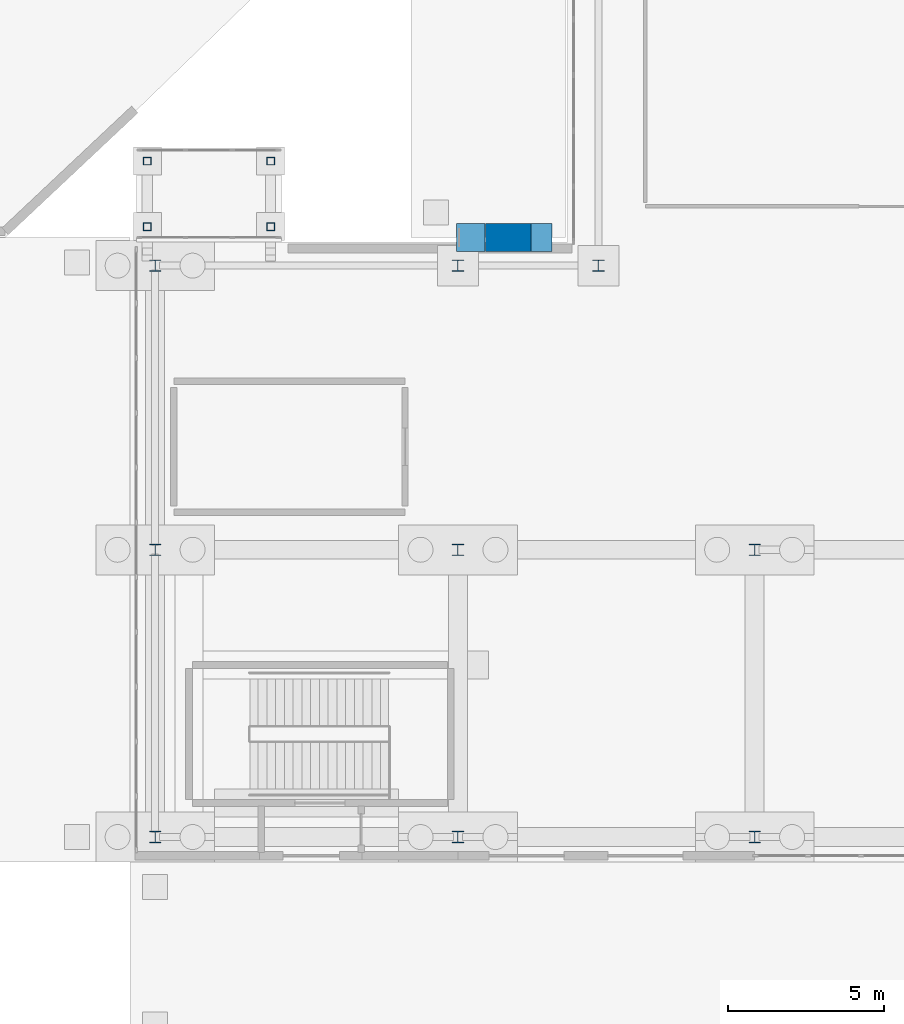
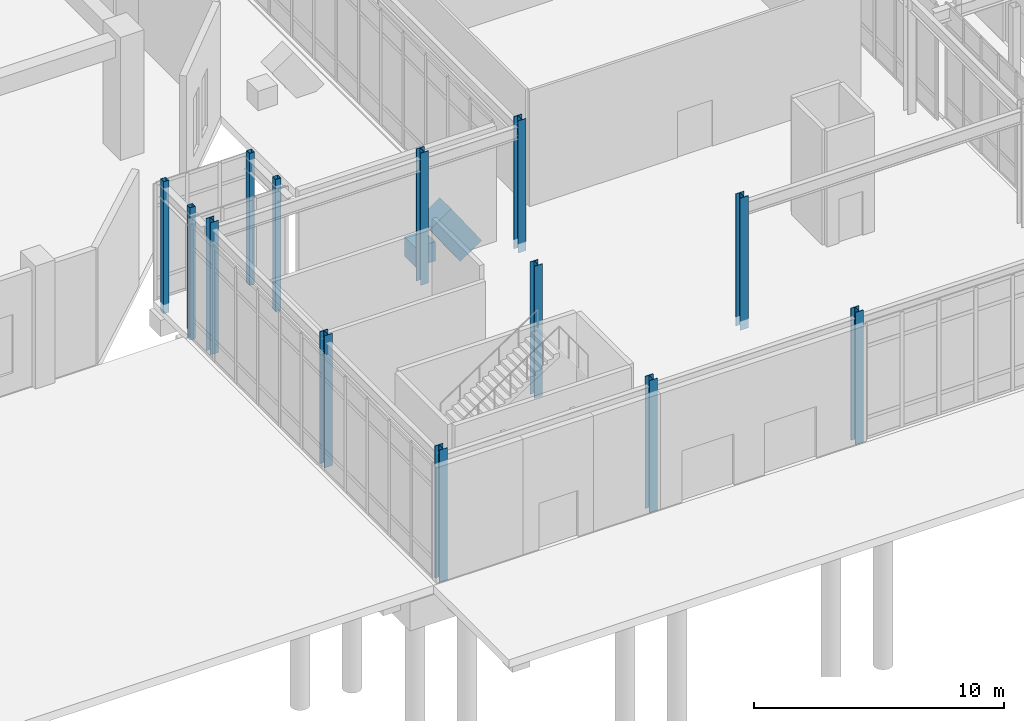
# One storey, part 7 of 143: 15 columns.
"""IFC4 building model written with IfcOpenShell, lengths in metres."""

from ifc_helpers import new_model, si_unit, derived_unit, direction, frame, origin, origin_2d, place, context, subcontext, project, spatial, rectangle, hollow_rectangle, i_section, extrude, material, material_profile, profile_set, type_object, element, save


model = new_model("IFC4")

# Units and contexts
model_context = context("Model", 3, precision=1e-05, world=origin(), true_north=direction((0.0, 1.0)))
body_context = subcontext(model_context, "Body", "Model", "MODEL_VIEW")
ifc_project = project(units=[si_unit("LENGTHUNIT", "METRE"), si_unit("AREAUNIT", "SQUARE_METRE"), si_unit("VOLUMEUNIT", "CUBIC_METRE"), si_unit("PLANEANGLEUNIT", "RADIAN"), si_unit("MASSUNIT", "GRAM", prefix="KILO"), derived_unit("THERMALTRANSMITTANCEUNIT", [(si_unit("MASSUNIT", "GRAM", prefix="KILO"), 1), (si_unit("TIMEUNIT", "SECOND"), -3), (si_unit("THERMODYNAMICTEMPERATUREUNIT", "KELVIN"), -1)])], contexts=[model_context])

# Site, building, storey
site_placement = place(None, origin())
site = spatial("IfcSite", under=ifc_project, at=site_placement, CompositionType="ELEMENT")
building_placement = place(site_placement, origin())
building = spatial("IfcBuilding", under=site, at=building_placement, Name="Valcora Ridge Arena", CompositionType="ELEMENT")
storey_placement = place(building_placement, origin())
storey = spatial("IfcBuildingStorey", under=building, at=storey_placement, Name="L00", CompositionType="ELEMENT", Elevation=0.0)

# Columns
ifc_material_1 = material(Name="Steel ASTM A500 Grade C", Category="steel")
ifc_material_profile_1 = material_profile(ifc_material_1, hollow_rectangle(XDim=0.25, YDim=0.25, WallThickness=0.012451171875, at=origin_2d()), Name="HSS250X250X12")
ifc_profile_set_1 = profile_set([ifc_material_profile_1], Name="Steel ASTM A500 Grade C")
column_type_1 = type_object("IfcColumnType", Name="TY-COLUMN-C-BRG250", PredefinedType="COLUMN", material=ifc_profile_set_1)
for number, where, z_axis, x_axis, name in (
    (1, (98.550048828125, 20.35009765625, -0.449951171875), (0.0, 0.0, 1.0), (1.0, 0.0, 0.0), "C-BRG250 COL-BG-C-BRG250-0001"),
    (2, (102.5, 20.35009765625, -0.449951171875), (0.0, 0.0, 1.0), (1.0, 0.0, 0.0), "C-BRG250 COL-BG-C-BRG250-0003"),
    (3, (98.550048828125, 22.449951171875, -0.449951171875), (0.0, 0.0, 1.0), (1.0, 0.0, 0.0), "C-BRG250 COL-BG-C-BRG250-0005"),
    (4, (102.5, 22.449951171875, -0.449951171875), (0.0, 0.0, 1.0), (1.0, 0.0, 0.0), "C-BRG250 COL-BG-C-BRG250-0007"),
):
    element("IfcColumn", number, at=place(storey_placement, frame(where, z_axis=z_axis, x_axis=x_axis)), inside=storey, type_object=column_type_1, Name=name, PredefinedType="COLUMN", context=body_context, shape_type="SweptSolid", body=[
        extrude(hollow_rectangle(XDim=0.25, YDim=0.25, WallThickness=0.012451171875, at=origin_2d()), origin(), (0.0, 0.0, 1.0), 6.449951171875),
    ])
ifc_material_2 = material(Name="Concrete C45/55", Category="concrete")
ifc_material_profile_2 = material_profile(ifc_material_2, rectangle(XDim=0.89990234375, YDim=0.89990234375, at=origin_2d()), Name="RC 900x900")
ifc_profile_set_2 = profile_set([ifc_material_profile_2], Name="Concrete C45/55")
column_type_2 = type_object("IfcColumnType", Name="TY-COLUMN-C-SHOE-900", PredefinedType="COLUMN", material=ifc_profile_set_2)
column_1_placement = place(storey_placement, frame((108.909912109375, 20.0, 0.0), z_axis=(0.0, 0.0, 1.0), x_axis=(1.0, 0.0, 0.0)))
element("IfcColumn", 5, at=column_1_placement, inside=storey, type_object=column_type_2, Name="C-SHOE-900 COL-SH-C-SHOE-900-0002", PredefinedType="COLUMN", context=body_context, shape_type="SweptSolid", body=[
    extrude(rectangle(XDim=0.89990234375, YDim=0.89990234375, at=origin_2d()), origin(), (0.0, 0.0, 1.0), 0.949951171875),
])
ifc_material_3 = material(Name="Steel ASTM A572 Grade 50", Category="steel")
ifc_material_profile_3 = material_profile(ifc_material_3, i_section(OverallWidth=0.3740234375, OverallDepth=0.373046875, WebThickness=0.016357421875, FlangeThickness=0.026123046875, FilletRadius=0.01806640625, at=origin_2d()), Name="W14X132")
ifc_profile_set_3 = profile_set([ifc_material_profile_3], Name="Steel ASTM A572 Grade 50")
column_type_3 = type_object("IfcColumnType", Name="TY-COLUMN-C-STL14C", PredefinedType="COLUMN", material=ifc_profile_set_3)
for number, where, z_axis, x_axis, name in (
    (6, (98.800048828125, 0.800048828125, -0.449951171875), (0.0, 0.0, 1.0), (1.0, 0.0, 0.0), "C-STL14C COL-C-STL14C-0001"),
    (7, (108.5, 0.800048828125, -0.449951171875), (0.0, 0.0, 1.0), (1.0, 0.0, 0.0), "C-STL14C COL-C-STL14C-0002"),
    (8, (118.0, 0.800048828125, -0.449951171875), (0.0, 0.0, 1.0), (1.0, 0.0, 0.0), "C-STL14C COL-C-STL14C-0003"),
    (9, (98.800048828125, 10.0, -0.449951171875), (0.0, 0.0, 1.0), (1.0, 0.0, 0.0), "C-STL14C COL-C-STL14C-0005"),
    (10, (108.5, 10.0, -0.449951171875), (0.0, 0.0, 1.0), (1.0, 0.0, 0.0), "C-STL14C COL-C-STL14C-0006"),
    (11, (118.0, 10.0, -0.449951171875), (0.0, 0.0, 1.0), (1.0, 0.0, 0.0), "C-STL14C COL-C-STL14C-0007"),
    (12, (98.800048828125, 19.10009765625, -0.449951171875), (0.0, 0.0, 1.0), (1.0, 0.0, 0.0), "C-STL14C COL-C-STL14C-0009"),
    (13, (108.5, 19.10009765625, -0.449951171875), (0.0, 0.0, 1.0), (1.0, 0.0, 0.0), "C-STL14C COL-C-STL14C-0010"),
    (14, (113.0, 19.10009765625, -0.449951171875), (0.0, 0.0, 1.0), (1.0, 0.0, 0.0), "C-STL14C COL-C-STL14C-0011"),
):
    element("IfcColumn", number, at=place(storey_placement, frame(where, z_axis=z_axis, x_axis=x_axis)), inside=storey, type_object=column_type_3, Name=name, PredefinedType="COLUMN", context=body_context, shape_type="SweptSolid", body=[
        extrude(i_section(OverallWidth=0.3740234375, OverallDepth=0.373046875, WebThickness=0.016357421875, FlangeThickness=0.026123046875, FilletRadius=0.01806640625, at=origin_2d()), origin(), (0.0, 0.0, 1.0), 6.449951171875),
    ])
ifc_material_4 = material(Name="Bush-hammered Andean travertine architectural concrete C45/55", Category="masonry")
ifc_material_profile_4 = material_profile(ifc_material_4, rectangle(XDim=0.89990234375, YDim=1.199951171875, at=origin_2d()), Name="RC 900x1200")
ifc_profile_set_4 = profile_set([ifc_material_profile_4], Name="Bush-hammered Andean travertine architectural concrete C45/55")
column_type_4 = type_object("IfcColumnType", Name="TY-COLUMN-MC-BUTTRESS", PredefinedType="PILASTER", material=ifc_profile_set_4)
column_2_placement = place(storey_placement, frame((111.009521484375, 20.0, -0.094970703125), z_axis=(-0.567496326798, 0.0, 0.823375928159), x_axis=(0.0, -1.0, 0.0)))
element("IfcColumn", 15, at=column_2_placement, inside=storey, type_object=column_type_4, Name="Flying-Buttress Mega Column MC-BUTTRESS", PredefinedType="PILASTER", context=body_context, shape_type="SweptSolid", body=[
    extrude(rectangle(XDim=0.89990234375, YDim=1.199951171875, at=origin_2d()), origin(), (0.0, 0.0, 1.0), 2.483642578125),
])

save(model, "model.ifc")
